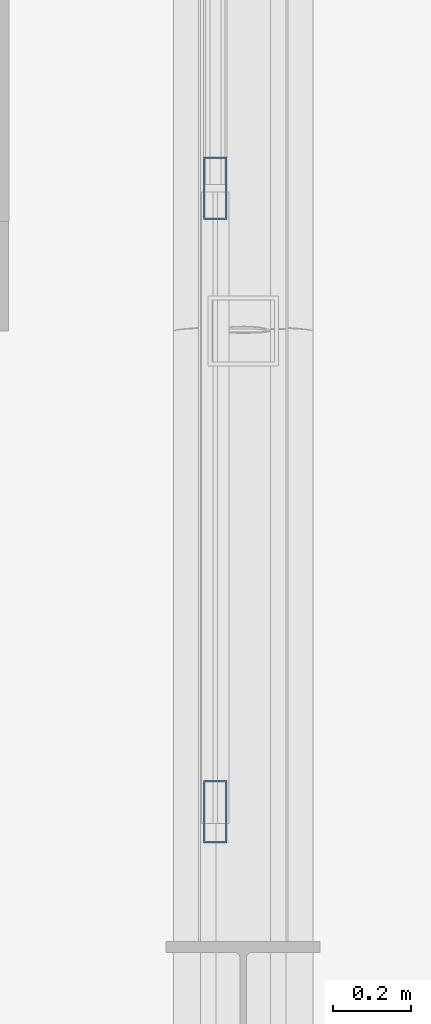
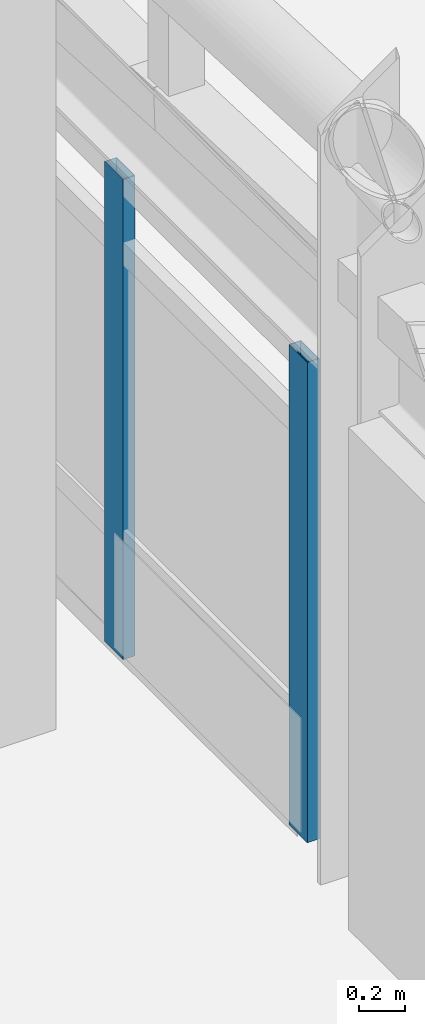
# One storey, part 65 of 168: 2 members, 1 element without a shape of its own.
"""IFC4 building model written with IfcOpenShell, lengths in metres."""

from ifc_helpers import new_model, si_unit, direction, frame, origin, origin_2d, place, context, subcontext, project, spatial, hollow_rectangle, extrude, material, material_profile, profile_set, type_object, element, aggregate, save


model = new_model("IFC4")

# Units and contexts
model_context = context("Model", 3, precision=1e-05, world=origin(), true_north=direction((0.0, 1.0)))
body_context = subcontext(model_context, "Body", "Model", "MODEL_VIEW")
ifc_project = project(units=[si_unit("LENGTHUNIT", "METRE"), si_unit("AREAUNIT", "SQUARE_METRE"), si_unit("VOLUMEUNIT", "CUBIC_METRE"), si_unit("PLANEANGLEUNIT", "RADIAN"), si_unit("MASSUNIT", "GRAM", prefix="KILO"), si_unit("THERMODYNAMICTEMPERATUREUNIT", "KELVIN"), si_unit("POWERUNIT", "WATT")], contexts=[model_context])

# Site, building, storey
site_placement = place(None, origin())
site = spatial("IfcSite", under=ifc_project, at=site_placement, CompositionType="ELEMENT")
building_placement = place(site_placement, origin())
building = spatial("IfcBuilding", under=site, at=building_placement, Name="Tepalcoro Natatorium and Aquatics Centre", CompositionType="ELEMENT")
storey_placement = place(building_placement, frame((0.0, 0.0, 10.199951171875)))
storey = spatial("IfcBuildingStorey", under=building, at=storey_placement, Name="L02", CompositionType="ELEMENT", Elevation=10.199951171875)

# Curtain wall, members
ifc_material = material(Name="Bronze-Anodised Extruded Aluminium Alloy EN AW-6063 T6", Category="aluminium")
curtain_wall_type = type_object("IfcCurtainWallType", Name="CW_V3_FOYER", PredefinedType="USERDEFINED", material=ifc_material)
curtain_wall_placement = place(storey_placement, origin())
curtain_wall = element("IfcCurtainWall", 1, at=curtain_wall_placement, inside=storey, type_object=curtain_wall_type, Name="V1 L02 E Unitised Curtain Wall Bay 6", ObjectType="UNITISED STOREFRONT", PredefinedType="USERDEFINED")
ifc_material_profile = material_profile(ifc_material, hollow_rectangle(XDim=0.06005859375, YDim=0.159912109375, WallThickness=0.00390625, at=origin_2d()), Name="AL60X160X4")
ifc_profile_set = profile_set([ifc_material_profile], Name="Bronze-Anodised Extruded Aluminium Alloy EN AW-6063 T6")
member_type = type_object("IfcMemberType", Name="CW_MUL_60x160", PredefinedType="MULLION", material=ifc_profile_set)
member_1_placement = place(storey_placement, frame((124.9287109375, 52.02001953125, 0.02001953125), z_axis=(0.0, 0.0, 1.0), x_axis=(1.0, 0.0, 0.0)))
member_1 = element("IfcMember", 2, at=member_1_placement, type_object=member_type, Name="CW_V3_FOYER Curtain Wall Mullion", PredefinedType="MULLION", context=body_context, shape_type="SweptSolid", body=[
    extrude(hollow_rectangle(XDim=0.06005859375, YDim=0.159912109375, WallThickness=0.00390625, at=origin_2d()), origin(), (0.0, 0.0, 1.0), 2.5380859375),
])
member_2_placement = place(storey_placement, frame((124.9287109375, 53.614990234375, 0.02001953125), z_axis=(0.0, 0.0, 1.0), x_axis=(1.0, 0.0, 0.0)))
member_2 = element("IfcMember", 3, at=member_2_placement, type_object=member_type, Name="CW_V3_FOYER Curtain Wall Mullion", PredefinedType="MULLION", context=body_context, shape_type="SweptSolid", body=[
    extrude(hollow_rectangle(XDim=0.06005859375, YDim=0.159912109375, WallThickness=0.00390625, at=origin_2d()), origin(), (0.0, 0.0, 1.0), 2.5380859375),
])
aggregate(curtain_wall, [member_1, member_2])

save(model, "model.ifc")
